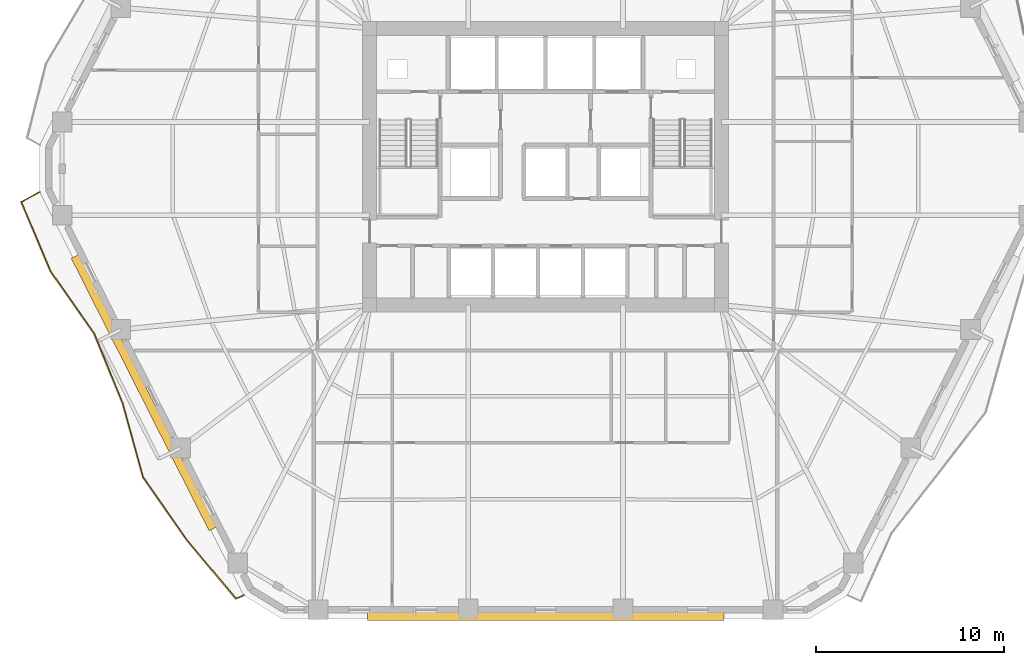
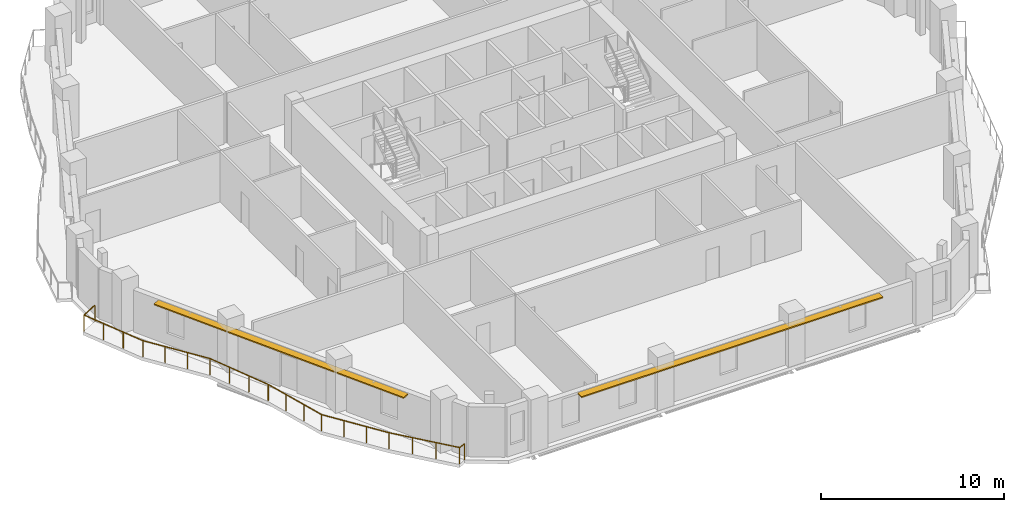
# One storey, part 10 of 13: 2 shading devices, 1 railing.
"""IFC4 building model written with IfcOpenShell, lengths in metres."""

from ifc_helpers import new_model, si_unit, direction, frame, origin, origin_2d, place, context, subcontext, project, spatial, rectangle, extrude, material, layer, layer_set, type_object, element, save


model = new_model("IFC4")

# Units and contexts
model_context = context("Model", 3, precision=1e-05, world=origin(), true_north=direction((0.0, 1.0)))
body_context = subcontext(model_context, "Body", "Model", "MODEL_VIEW")
ifc_project = project(units=[si_unit("LENGTHUNIT", "METRE"), si_unit("AREAUNIT", "SQUARE_METRE"), si_unit("VOLUMEUNIT", "CUBIC_METRE"), si_unit("PLANEANGLEUNIT", "RADIAN"), si_unit("MASSUNIT", "GRAM", prefix="KILO")], contexts=[model_context])

# Site, building, storey
site_placement = place(None, origin())
site = spatial("IfcSite", under=ifc_project, at=site_placement, CompositionType="ELEMENT")
building_placement = place(site_placement, origin())
building = spatial("IfcBuilding", under=site, at=building_placement, Name="Cinnabar Lancet Tower", CompositionType="ELEMENT")
storey_placement = place(building_placement, frame((0.0, 0.0, 80.0)))
storey = spatial("IfcBuildingStorey", under=building, at=storey_placement, Name="L20", CompositionType="ELEMENT", Elevation=80.0)

# Railing
ifc_material_1 = material(Name="Laminated safety glass and bronze stainless steel balustrade", Category="steel")
railing_type = type_object("IfcRailingType", Name="ENV-RLG-BAL-1100", PredefinedType="BALUSTRADE", material=ifc_material_1)
railing_placement = place(storey_placement, frame((5.431884765625, 24.551025390625, 0.0)))
element("IfcRailing", 1, at=railing_placement, inside=storey, type_object=railing_type, Name="L20 Face 6 Wave Balcony Balustrade", PredefinedType="BALUSTRADE", context=body_context, shape_type="SweptSolid", body=[
    extrude(rectangle(XDim=0.048095703125, YDim=0.048095703125, at=origin_2d()), frame((0.0, 0.0, 1.076171875), z_axis=(-0.880612267065, -0.473837561929, 0.0), x_axis=(0.473837561929, -0.880612267065, 0.0)), (0.0, 0.0, 1.0), 1.1103515625),
    extrude(rectangle(XDim=0.048095703125, YDim=0.048095703125, at=origin_2d()), frame((-0.977783203125, -0.526123046875, 1.076171875), z_axis=(0.388586822166, -0.921412112813, 0.0), x_axis=(0.921412112813, 0.388586822166, 0.0)), (0.0, 0.0, 1.0), 4.0166015625),
    extrude(rectangle(XDim=0.048095703125, YDim=0.048095703125, at=origin_2d()), frame((0.5830078125, -4.22705078125, 1.076171875), z_axis=(0.57399664914, -0.818857647443, 0.0), x_axis=(0.818857647443, 0.57399664914, 0.0)), (0.0, 0.0, 1.0), 4.047119140625),
    extrude(rectangle(XDim=0.048095703125, YDim=0.048095703125, at=origin_2d()), frame((2.906005859375, -7.541015625, 1.076171875), z_axis=(0.378043673739, -0.925787762257, 0.0), x_axis=(0.925787762257, 0.378043673739, 0.0)), (0.0, 0.0, 1.0), 4.01806640625),
    extrude(rectangle(XDim=0.048095703125, YDim=0.048095703125, at=origin_2d()), frame((4.425048828125, -11.260986328125, 1.076171875), z_axis=(0.265992162992, -0.963975191189, 0.0), x_axis=(0.963975191189, 0.265992162992, 0.0)), (0.0, 0.0, 1.0), 4.087158203125),
    extrude(rectangle(XDim=0.048095703125, YDim=0.048095703125, at=origin_2d()), frame((5.51220703125, -15.200927734375, 1.076171875), z_axis=(0.57206457009, -0.82020858789, 0.0), x_axis=(0.82020858789, 0.57206457009, 0.0)), (0.0, 0.0, 1.0), 4.046630859375),
    extrude(rectangle(XDim=0.048095703125, YDim=0.048095703125, at=origin_2d()), frame((7.8271484375, -18.52001953125, 1.076171875), z_axis=(0.64132212974, -0.767271741892, 0.0), x_axis=(0.767271741892, 0.64132212974, 0.0)), (0.0, 0.0, 1.0), 4.11328125),
    extrude(rectangle(XDim=0.048095703125, YDim=0.048095703125, at=origin_2d()), frame((10.465087890625, -21.676025390625, 1.076171875), z_axis=(0.922175658806, 0.386771320429, 0.0), x_axis=(-0.386771320429, 0.922175658806, 0.0)), (0.0, 0.0, 1.0), 0.449951171875),
    extrude(rectangle(XDim=0.0419921875, YDim=0.0419921875, at=origin_2d()), origin(), (0.0, 0.0, 1.0), 1.052001953125),
    extrude(rectangle(XDim=0.0419921875, YDim=0.0419921875, at=origin_2d()), frame((-0.977783203125, -0.526123046875, 0.0)), (0.0, 0.0, 1.0), 1.052001953125),
    extrude(rectangle(XDim=0.0419921875, YDim=0.0419921875, at=origin_2d()), frame((-0.45751953125, -1.759765625, 0.0)), (0.0, 0.0, 1.0), 1.052001953125),
    extrude(rectangle(XDim=0.0419921875, YDim=0.0419921875, at=origin_2d()), frame((0.062744140625, -2.993408203125, 0.0)), (0.0, 0.0, 1.0), 1.052001953125),
    extrude(rectangle(XDim=0.0419921875, YDim=0.0419921875, at=origin_2d()), frame((0.5830078125, -4.22705078125, 0.0)), (0.0, 0.0, 1.0), 1.052001953125),
    extrude(rectangle(XDim=0.0419921875, YDim=0.0419921875, at=origin_2d()), frame((1.357421875, -5.331787109375, 0.0)), (0.0, 0.0, 1.0), 1.052001953125),
    extrude(rectangle(XDim=0.0419921875, YDim=0.0419921875, at=origin_2d()), frame((2.131591796875, -6.436279296875, 0.0)), (0.0, 0.0, 1.0), 1.052001953125),
    extrude(rectangle(XDim=0.0419921875, YDim=0.0419921875, at=origin_2d()), frame((2.906005859375, -7.541015625, 0.0)), (0.0, 0.0, 1.0), 1.052001953125),
    extrude(rectangle(XDim=0.0419921875, YDim=0.0419921875, at=origin_2d()), frame((3.412353515625, -8.781005859375, 0.0)), (0.0, 0.0, 1.0), 1.052001953125),
    extrude(rectangle(XDim=0.0419921875, YDim=0.0419921875, at=origin_2d()), frame((3.918701171875, -10.02099609375, 0.0)), (0.0, 0.0, 1.0), 1.052001953125),
    extrude(rectangle(XDim=0.0419921875, YDim=0.0419921875, at=origin_2d()), frame((4.425048828125, -11.260986328125, 0.0)), (0.0, 0.0, 1.0), 1.052001953125),
    extrude(rectangle(XDim=0.0419921875, YDim=0.0419921875, at=origin_2d()), frame((4.787353515625, -12.57421875, 0.0)), (0.0, 0.0, 1.0), 1.052001953125),
    extrude(rectangle(XDim=0.0419921875, YDim=0.0419921875, at=origin_2d()), frame((5.14990234375, -13.8876953125, 0.0)), (0.0, 0.0, 1.0), 1.052001953125),
    extrude(rectangle(XDim=0.0419921875, YDim=0.0419921875, at=origin_2d()), frame((5.51220703125, -15.200927734375, 0.0)), (0.0, 0.0, 1.0), 1.052001953125),
    extrude(rectangle(XDim=0.0419921875, YDim=0.0419921875, at=origin_2d()), frame((6.283935546875, -16.307373046875, 0.0)), (0.0, 0.0, 1.0), 1.052001953125),
    extrude(rectangle(XDim=0.0419921875, YDim=0.0419921875, at=origin_2d()), frame((7.055419921875, -17.41357421875, 0.0)), (0.0, 0.0, 1.0), 1.052001953125),
    extrude(rectangle(XDim=0.0419921875, YDim=0.0419921875, at=origin_2d()), frame((7.8271484375, -18.52001953125, 0.0)), (0.0, 0.0, 1.0), 1.052001953125),
    extrude(rectangle(XDim=0.0419921875, YDim=0.0419921875, at=origin_2d()), frame((8.70654296875, -19.572021484375, 0.0)), (0.0, 0.0, 1.0), 1.052001953125),
    extrude(rectangle(XDim=0.0419921875, YDim=0.0419921875, at=origin_2d()), frame((9.585693359375, -20.6240234375, 0.0)), (0.0, 0.0, 1.0), 1.052001953125),
    extrude(rectangle(XDim=0.0419921875, YDim=0.0419921875, at=origin_2d()), frame((10.465087890625, -21.676025390625, 0.0)), (0.0, 0.0, 1.0), 1.052001953125),
    extrude(rectangle(XDim=0.0419921875, YDim=0.0419921875, at=origin_2d()), frame((10.880126953125, -21.501953125, 0.0)), (0.0, 0.0, 1.0), 1.052001953125),
])

# Shading devices
ifc_material_2 = material(Name="Pale limestone architectural aluminium sunshade", Category="masonry")
ifc_layer = layer(ifc_material_2, 0.080078125)
ifc_layer_set = layer_set([ifc_layer], Name="Pale limestone architectural aluminium sunshade")
shading_device_type = type_object("IfcShadingDeviceType", Name="ENV-SHD-LVR-450", PredefinedType="JALOUSIE", material=ifc_layer_set)
shading_device_1_placement = place(storey_placement, frame((32.39990234375, 1.929931640625, 2.639892578125), z_axis=(0.0, 0.0, 1.0), x_axis=(1.0, 0.0, 0.0)))
element("IfcShadingDevice", 2, at=shading_device_1_placement, inside=storey, type_object=shading_device_type, Name="L20 Face 1 Horizontal Sunshade Canopy", PredefinedType="JALOUSIE", context=body_context, shape_type="SweptSolid", body=[
    extrude(rectangle(XDim=18.993896484375, YDim=0.449951171875, at=origin_2d()), origin(), (0.0, 0.0, 1.0), 0.080078125),
])
shading_device_2_placement = place(storey_placement, frame((10.989990234375, 13.85595703125, 2.639892578125), z_axis=(0.0, 0.0, 1.0), x_axis=(0.451500573218, -0.892270829056, 0.0)))
element("IfcShadingDevice", 3, at=shading_device_2_placement, inside=storey, type_object=shading_device_type, Name="L20 Face 6 Horizontal Sunshade Canopy", PredefinedType="JALOUSIE", context=body_context, shape_type="SweptSolid", body=[
    extrude(rectangle(XDim=16.279052734375, YDim=0.449951171875, at=origin_2d()), origin(), (0.0, 0.0, 1.0), 0.080078125),
])

save(model, "model.ifc")
